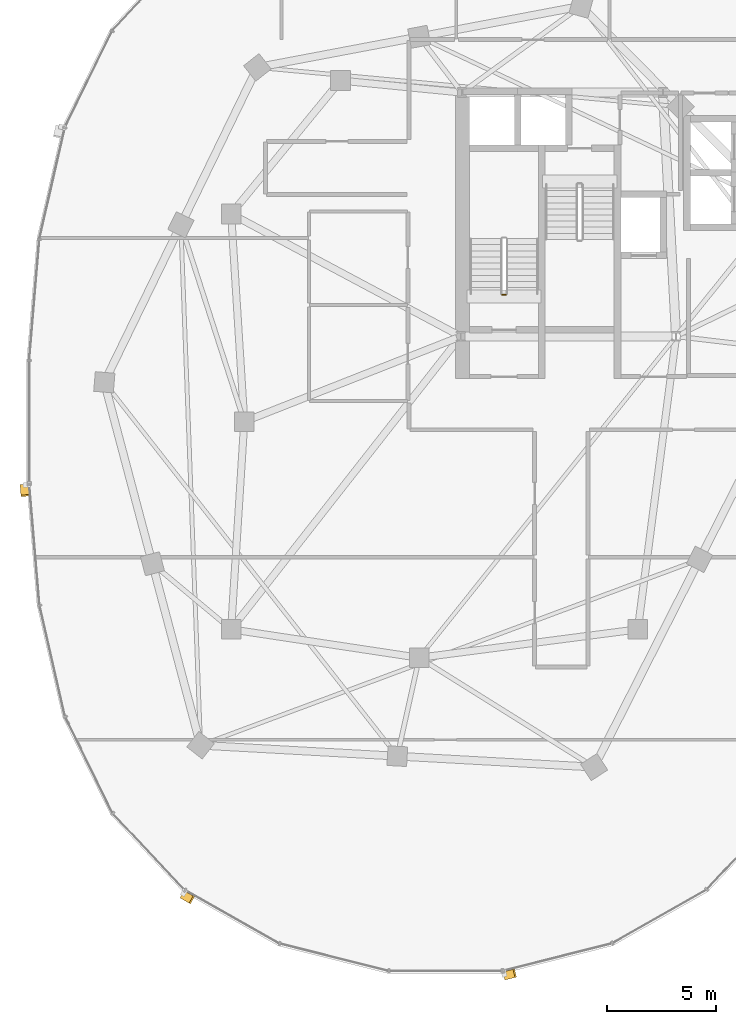
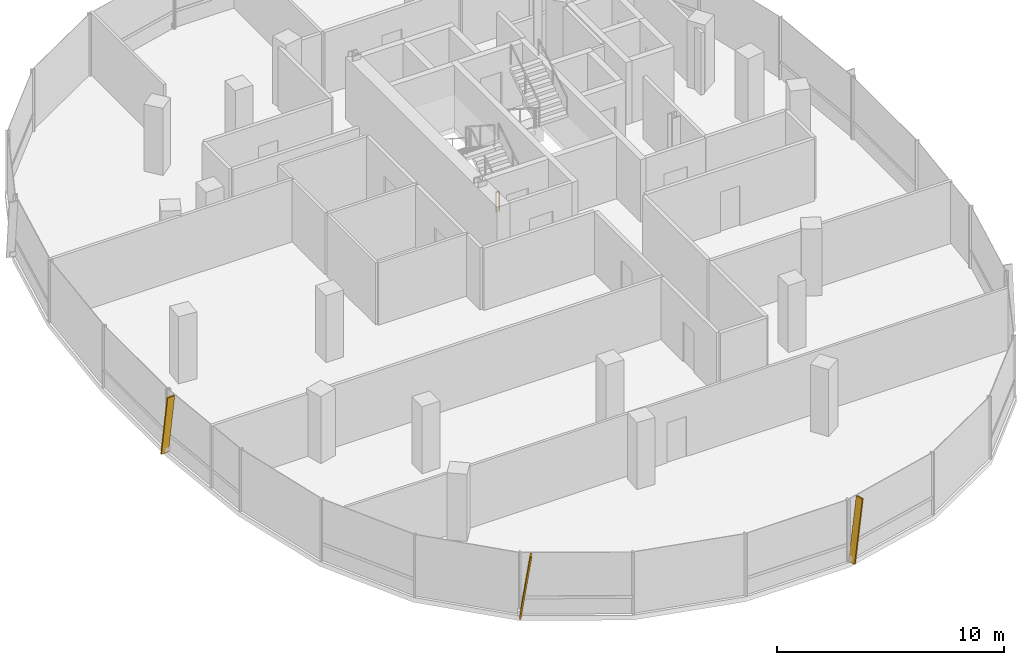
# One storey, part 21 of 25: 3 shading devices, 1 railing.
"""IFC4 building model written with IfcOpenShell, lengths in metres."""

import ifcopenshell
import ifcopenshell.guid

model = None  # the IFC model being written
_history = None  # IfcOwnerHistory: only IFC2X3 demands one
_inside = {}  # id of a spatial element -> (the spatial element, [elements in it])
_under = {}  # id of a project, library or spatial element -> (it, [spatial elements below it])
_declared = {}  # id of a project -> (the project, [libraries it declares])
_typed = {}  # id of a type object -> (the type object, [elements of that type])
_made_of = {}  # id of a material, layer set ... -> (it, [elements and type objects made of it])


def new_model(schema):
    """Start an empty IFC model of exactly this schema.

    Asked for "IFC4X3", IfcOpenShell would pick the latest addendum, in which some entities
    have other attributes; the version numbers below select the first issue.
    IFC2X3 requires an IfcOwnerHistory on every rooted entity: one is made here for all.
    """
    global model, _history
    if schema == "IFC4X3":
        model = ifcopenshell.file(schema_version=(4, 3, 0, 0))
    else:
        model = ifcopenshell.file(schema=schema)
    _inside.clear()
    _under.clear()
    _declared.clear()
    _typed.clear()
    _made_of.clear()
    _history = None
    if model.schema == "IFC2X3":
        org = make("IfcOrganization", Name="unknown")
        user = make(
            "IfcPersonAndOrganization",
            ThePerson=make("IfcPerson", FamilyName="unknown"),
            TheOrganization=org,
        )
        app = make(
            "IfcApplication",
            ApplicationDeveloper=org,
            Version="unknown",
            ApplicationFullName="unknown",
            ApplicationIdentifier="unknown",
        )
        _history = make(
            "IfcOwnerHistory",
            OwningUser=user,
            OwningApplication=app,
            ChangeAction="ADDED",
            CreationDate=0,
        )
    return model


def make(cls, **values):
    """One entity of the class cls with the attributes given. An attribute that is None is left unset."""
    return model.create_entity(
        cls, **{name: value for name, value in values.items() if value is not None}
    )


def rooted(cls, **values):
    """An entity with a GlobalId (a new one), such as an element, a storey or a relation."""
    return make(cls, GlobalId=ifcopenshell.guid.new(), OwnerHistory=_history, **values)


def si_unit(unit_type, name, prefix=None):
    """IfcSIUnit, for example si_unit("LENGTHUNIT", "METRE", prefix="MILLI")."""
    return make("IfcSIUnit", UnitType=unit_type, Prefix=prefix, Name=name)


def assignment(units):
    """IfcUnitAssignment: the units of a project."""
    return None if units is None else make("IfcUnitAssignment", Units=units)


def point(xyz):
    """IfcCartesianPoint."""
    return None if xyz is None else make("IfcCartesianPoint", Coordinates=xyz)


def direction(xyz):
    """IfcDirection."""
    return None if xyz is None else make("IfcDirection", DirectionRatios=xyz)


def frame(location, z_axis=None, x_axis=None):
    """IfcAxis2Placement3D, a coordinate frame: its origin and axes. An axis left out is left unset."""
    return make(
        "IfcAxis2Placement3D",
        Location=point(location),
        Axis=direction(z_axis),
        RefDirection=direction(x_axis),
    )


def frame_2d(location, x_axis=None):
    """IfcAxis2Placement2D, a coordinate frame in the plane: its origin and x axis."""
    return make(
        "IfcAxis2Placement2D", Location=point(location), RefDirection=direction(x_axis)
    )


def origin():
    """The frame at (0, 0, 0) with its axes left unset."""
    return frame((0.0, 0.0, 0.0))


def origin_2d():
    """The frame at (0, 0) in the plane with its x axis left unset."""
    return frame_2d((0.0, 0.0))


def place(relative_to, where):
    """IfcLocalPlacement: puts the frame where relative to a parent placement (None: the world)."""
    return make(
        "IfcLocalPlacement", PlacementRelTo=relative_to, RelativePlacement=where
    )


def context(
    kind, dimensions, precision=None, world=None, true_north=None, identifier=None
):
    """IfcGeometricRepresentationContext, for example the 3D "Model" context."""
    return make(
        "IfcGeometricRepresentationContext",
        ContextIdentifier=identifier,
        ContextType=kind,
        CoordinateSpaceDimension=dimensions,
        Precision=precision,
        WorldCoordinateSystem=world,
        TrueNorth=true_north,
    )


def subcontext(parent, identifier, kind, view, scale=None):
    """IfcGeometricRepresentationSubContext, for example "Body" below "Model"."""
    return make(
        "IfcGeometricRepresentationSubContext",
        ContextIdentifier=identifier,
        ContextType=kind,
        ParentContext=parent,
        TargetScale=scale,
        TargetView=view,
    )


def project(units=None, contexts=None):
    """IfcProject with its units and contexts."""
    return rooted(
        "IfcProject",
        Name="project",
        RepresentationContexts=contexts,
        UnitsInContext=assignment(units),
    )


def spatial(cls, under=None, at=None, **own):
    """A site, building, storey or space (cls), placed at a placement, below another one or the project."""
    s = rooted(cls, ObjectPlacement=at, **own)
    if under is not None:
        _under.setdefault(under.id(), (under, []))[1].append(s)
    return s


def profile(cls, at=None, kind="AREA", **sizes):
    """A parametric profile (cls). Its sizes go by their IFC names, for example OverallWidth=200.0."""
    return make(cls, ProfileType=kind, Position=at, **sizes)


def rectangle(**sizes):
    """IfcRectangleProfileDef."""
    return profile("IfcRectangleProfileDef", **sizes)


def extrude(swept, where, along, depth):
    """IfcExtrudedAreaSolid: the profile swept, set in the frame where, extruded along a direction by depth."""
    return make(
        "IfcExtrudedAreaSolid",
        SweptArea=swept,
        Position=where,
        ExtrudedDirection=direction(along),
        Depth=depth,
    )


def shape(context_of_items, identifier, shape_type, items):
    """IfcShapeRepresentation: the items that make up one representation, for example the "Body"."""
    return make(
        "IfcShapeRepresentation",
        ContextOfItems=context_of_items,
        RepresentationIdentifier=identifier,
        RepresentationType=shape_type,
        Items=items,
    )


def material(Name=None, Category=None):
    """IfcMaterial."""
    return make("IfcMaterial", Name=Name, Category=Category)


def material_profile(
    of_material, cross_section, Name=None, Category=None, Priority=None
):
    """IfcMaterialProfile: a cross section and its material."""
    return make(
        "IfcMaterialProfile",
        Name=Name,
        Material=of_material,
        Profile=cross_section,
        Priority=Priority,
        Category=Category,
    )


def profile_set(profiles, Name=None, composite=None):
    """IfcMaterialProfileSet."""
    return make(
        "IfcMaterialProfileSet",
        Name=Name,
        MaterialProfiles=profiles,
        CompositeProfile=composite,
    )


def made_of(thing, what):
    """Note that an element or type object is made of a material, layer set ...; save() writes the relation."""
    if what is not None:
        _made_of.setdefault(what.id(), (what, []))[1].append(thing)
    return thing


def type_object(cls, material=None, **own):
    """A type object (cls), such as IfcWallType, which elements share."""
    return made_of(rooted(cls, **own), material)


def element(
    cls,
    number,
    at=None,
    inside=None,
    cuts=None,
    type_object=None,
    material=None,
    context=None,
    identifier="Body",
    shape_type=None,
    held_by="IfcProductDefinitionShape",
    body=None,
    shapes=None,
    **own,
):
    """One element of the class cls, such as IfcWall. Its Tag is "e" and its number.

    at: its placement. inside: the storey or other place that contains it. cuts: it is an
    opening in that element (IfcRelVoidsElement). A single representation is given by context,
    identifier, shape_type and body (its items); several are given by shapes. held_by: the class
    of the entity that holds the representations. save() writes the other relations.
    """
    e = rooted(cls, Tag="e%d" % number, ObjectPlacement=at, **own)
    if body is not None:
        shapes = [shape(context, identifier, shape_type, body)]
    if shapes is not None:
        e.Representation = make(held_by, Representations=shapes)
    if inside is not None:
        _inside.setdefault(inside.id(), (inside, []))[1].append(e)
    if cuts is not None:
        rooted(
            "IfcRelVoidsElement", RelatingBuildingElement=cuts, RelatedOpeningElement=e
        )
    if type_object is not None:
        _typed.setdefault(type_object.id(), (type_object, []))[1].append(e)
    return made_of(e, material)


def aggregate(whole, parts):
    """IfcRelAggregates: a whole, such as a stair, and the parts it consists of."""
    return rooted("IfcRelAggregates", RelatingObject=whole, RelatedObjects=parts)


def save(model, path):
    """Write the relations noted so far, then the file.

    IfcRelAggregates (storeys below a building ...), IfcRelContainedInSpatialStructure (elements
    in a storey), IfcRelDefinesByType, IfcRelAssociatesMaterial and IfcRelDeclares: one each for
    every whole, place, type object, material and project.
    """
    for whole, parts in _under.values():
        aggregate(whole, parts)
    for where, things in _inside.values():
        rooted(
            "IfcRelContainedInSpatialStructure",
            RelatedElements=things,
            RelatingStructure=where,
        )
    for kind, things in _typed.values():
        rooted("IfcRelDefinesByType", RelatedObjects=things, RelatingType=kind)
    for what, things in _made_of.values():
        rooted("IfcRelAssociatesMaterial", RelatedObjects=things, RelatingMaterial=what)
    for by, libraries in _declared.values():
        rooted("IfcRelDeclares", RelatingContext=by, RelatedDefinitions=libraries)
    model.write(path)


model = new_model("IFC4")

# Units and contexts
model_context = context("Model", 3, precision=1e-05, world=origin(), true_north=direction((0.0, 1.0)))
body_context = subcontext(model_context, "Body", "Model", "MODEL_VIEW")
ifc_project = project(units=[si_unit("LENGTHUNIT", "METRE"), si_unit("AREAUNIT", "SQUARE_METRE"), si_unit("VOLUMEUNIT", "CUBIC_METRE"), si_unit("PLANEANGLEUNIT", "RADIAN"), si_unit("MASSUNIT", "GRAM", prefix="KILO"), si_unit("THERMODYNAMICTEMPERATUREUNIT", "KELVIN"), si_unit("POWERUNIT", "WATT")], contexts=[model_context])

# Site, building, storey
site_placement = place(None, origin())
site = spatial("IfcSite", under=ifc_project, at=site_placement, CompositionType="ELEMENT")
building_placement = place(site_placement, origin())
building = spatial("IfcBuilding", under=site, at=building_placement, Name="Cundina Bronze Exchange", CompositionType="ELEMENT")
storey_placement = place(building_placement, frame((0.0, 0.0, 224.199951171875)))
storey = spatial("IfcBuildingStorey", under=building, at=storey_placement, Name="L59", CompositionType="ELEMENT", Elevation=224.199951171875)

# Railing
ifc_material_1 = material(Name="Steel ASTM A36 Painted", Category="steel")
railing_type = type_object("IfcRailingType", Name="RLG-STG-1100", PredefinedType="GUARDRAIL", material=ifc_material_1)
railing_placement = place(storey_placement, frame((-29.239990234375, 5.800048828125, 0.0)))
element("IfcRailing", 1, at=railing_placement, inside=storey, type_object=railing_type, Name="L59 ST-W1 stair guard 4", PredefinedType="GUARDRAIL", context=body_context, shape_type="SweptSolid", body=[
    extrude(rectangle(XDim=0.048095703125, YDim=0.048095703125, at=origin_2d()), frame((0.0, 0.0, 1.076171875), z_axis=(-1.0, 0.0, 0.0), x_axis=(0.0, -1.0, 0.0)), (0.0, 0.0, 1.0), 0.159912109375),
    extrude(rectangle(XDim=0.0419921875, YDim=0.0419921875, at=origin_2d()), origin(), (0.0, 0.0, 1.0), 1.052001953125),
    extrude(rectangle(XDim=0.0419921875, YDim=0.0419921875, at=origin_2d()), frame((-0.159912109375, 0.0, 0.0)), (0.0, 0.0, 1.0), 1.052001953125),
])

# Shading devices
ifc_material_2 = material(Name="Anodised Bronze Aluminium 6063-T6", Category="aluminium")
ifc_material_profile = material_profile(ifc_material_2, rectangle(XDim=0.070068359375, YDim=0.3798828125, at=origin_2d()), Name="FIN70X380", Category="aluminium")
ifc_profile_set = profile_set([ifc_material_profile], Name="Anodised Bronze Aluminium 6063-T6")
shading_device_type = type_object("IfcShadingDeviceType", Name="SHD-FIN-BRZ380", PredefinedType="USERDEFINED", material=ifc_profile_set)
for number, where, z_axis, x_axis, name in (
    (2, (-51.264404296875, -2.90283203125, 0.02001953125), (0.012006555776, -0.143419772964, 0.98958911238), (-0.082555834947, 0.986139516224, 0.143921466983), "L59 Diagonal Bronze Solar Fin 1"),
    (3, (-44.015625, -21.635498046875, 0.02001953125), (0.125189514072, -0.071087145125, 0.989582843103), (-0.860526986551, 0.488638423358, 0.143964567292), "L59 Diagonal Bronze Solar Fin 5"),
    (4, (-29.294189453125, -25.344482421875, 0.02001953125), (0.139611891367, 0.03514090606, 0.989582556693), (-0.959650042543, -0.24154799183, 0.143966536007), "L59 Diagonal Bronze Solar Fin 1"),
):
    element("IfcShadingDevice", number, at=place(storey_placement, frame(where, z_axis=z_axis, x_axis=x_axis)), inside=storey, type_object=shading_device_type, Name=name, ObjectType="FIN", PredefinedType="USERDEFINED", context=body_context, shape_type="SweptSolid", body=[
        extrude(rectangle(XDim=0.070068359375, YDim=0.3798828125, at=origin_2d()), origin(), (0.0, 0.0, 1.0), 3.334716796875),
    ])

save(model, "model.ifc")
